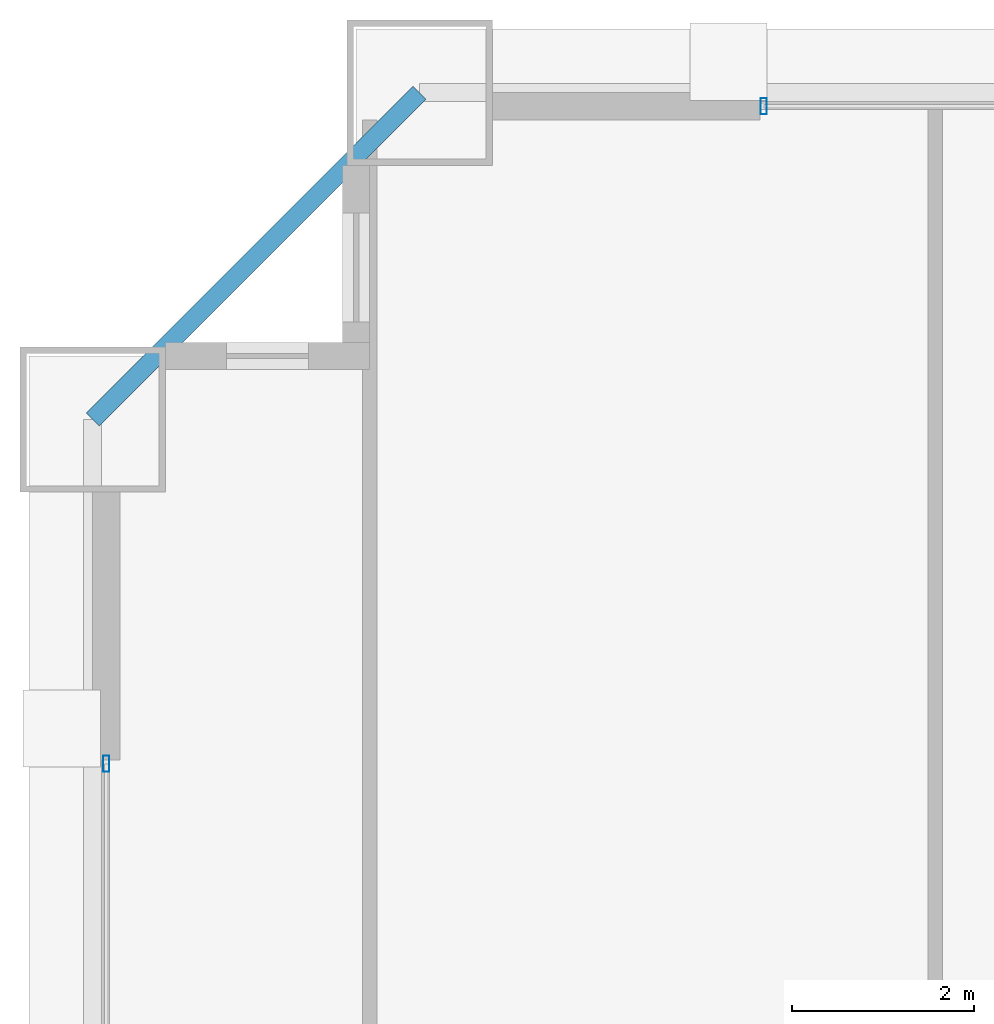
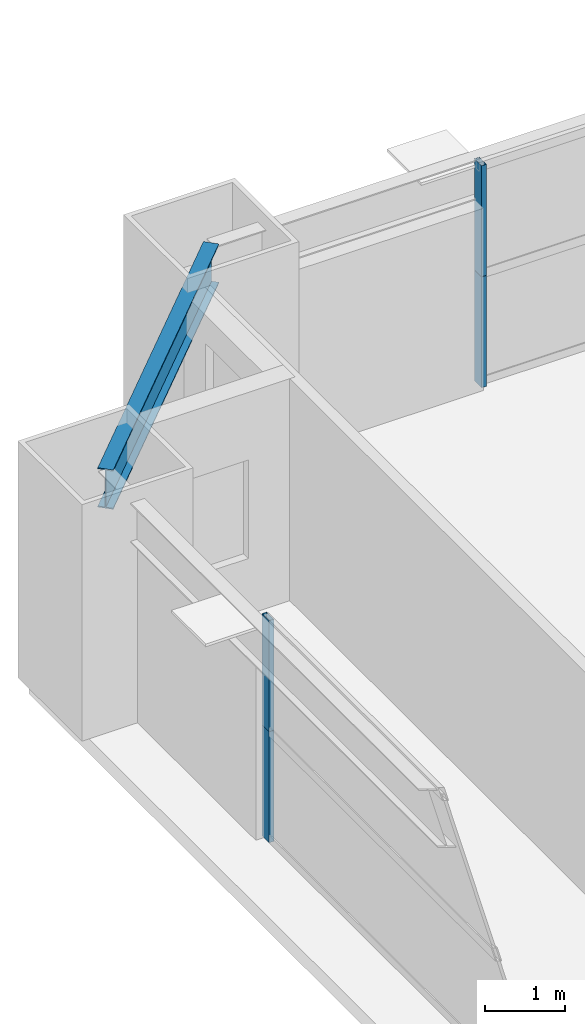
# One storey, part 23 of 39: 4 members, 1 beam, 2 elements without a shape of their own.
"""IFC4 building model written with IfcOpenShell, lengths in metres."""

from ifc_helpers import new_model, si_unit, direction, frame, origin, origin_2d, place, context, subcontext, project, spatial, hollow_rectangle, i_section, extrude, source, transform, mapped, material, layer, layer_set, material_profile, profile_set, type_object, element, aggregate, save


model = new_model("IFC4")

# Units and contexts
model_context = context("Model", 3, precision=1e-05, world=origin(), true_north=direction((0.0, 1.0)))
body_context = subcontext(model_context, "Body", "Model", "MODEL_VIEW")
ifc_project = project(units=[si_unit("LENGTHUNIT", "METRE"), si_unit("AREAUNIT", "SQUARE_METRE"), si_unit("VOLUMEUNIT", "CUBIC_METRE"), si_unit("PLANEANGLEUNIT", "RADIAN"), si_unit("MASSUNIT", "GRAM", prefix="KILO"), si_unit("THERMODYNAMICTEMPERATUREUNIT", "KELVIN"), si_unit("POWERUNIT", "WATT")], contexts=[model_context])

# Site, building, storey
site_placement = place(None, origin())
site = spatial("IfcSite", under=ifc_project, at=site_placement, CompositionType="ELEMENT")
building_placement = place(site_placement, origin())
building = spatial("IfcBuilding", under=site, at=building_placement, Name="Yuzanri Waterfront Tower", CompositionType="ELEMENT")
storey_placement = place(building_placement, frame((0.0, 0.0, 156.0)))
storey = spatial("IfcBuildingStorey", under=building, at=storey_placement, Name="L41", CompositionType="ELEMENT", Elevation=156.0)

# Beam
ifc_material_1 = material(Name="Steel Q355B", Category="steel")
ifc_material_profile_1 = material_profile(ifc_material_1, i_section(OverallWidth=0.199951171875, OverallDepth=0.60009765625, WebThickness=0.010986328125, FlangeThickness=0.01708984375, at=origin_2d()), Name="HN 600x200x11x17")
ifc_profile_set_1 = profile_set([ifc_material_profile_1], Name="Steel Q355B")
beam_type = type_object("IfcBeamType", Name="Perimeter Spandrel Q355B HN 600x200", PredefinedType="SPANDREL", material=ifc_profile_set_1)
shared_shape_1 = source(origin(), body_context, "Body", "SweptSolid", [
    extrude(i_section(OverallWidth=0.199951171875, OverallDepth=0.60009765625, WebThickness=0.010986328125, FlangeThickness=0.01708984375, at=origin_2d()), origin(), (0.0, 0.0, 1.0), 5.091064453125),
])
beam_placement = place(storey_placement, frame((17.0, 49.39990234375, 3.080078125), z_axis=(-0.707130757816, -0.707082803744, 0.0), x_axis=(0.707082803744, -0.707130757816, 0.0)))
element("IfcBeam", 1, at=beam_placement, inside=storey, type_object=beam_type, Name="L41 Perimeter Spandrel N1-W3", PredefinedType="SPANDREL", context=body_context, shape_type="MappedRepresentation", body=[
    mapped(shared_shape_1, transform((0.0, 0.0, 0.0), scale=1.0)),
])

# Curtain wall, members
ifc_material_2 = material(Name="Anodized Architectural Bronze", Category="metal")
ifc_layer = layer(ifc_material_2, 0.159912109375)
ifc_layer_set = layer_set([ifc_layer], Name="Anodized Architectural Bronze")
curtain_wall_type = type_object("IfcCurtainWallType", Name="Anodized Bronze Hotel Upper-Tier Solar-Control Unitized Curtain Wall 7800", PredefinedType="NOTDEFINED", material=ifc_layer_set)
curtain_wall_1_placement = place(storey_placement, origin())
curtain_wall_1 = element("IfcCurtainWall", 2, at=curtain_wall_1_placement, inside=storey, type_object=curtain_wall_type, Name="L41 Curtain Wall CW-L41-NL", PredefinedType="NOTDEFINED")
ifc_material_3 = material(Name="Anodized Architectural Bronze", Category="metal")
ifc_material_profile_2 = material_profile(ifc_material_3, hollow_rectangle(XDim=0.070068359375, YDim=0.179931640625, WallThickness=0.00390625, at=origin_2d()), Name="CWM 70x180")
ifc_profile_set_2 = profile_set([ifc_material_profile_2], Name="Anodized Architectural Bronze")
member_type = type_object("IfcMemberType", Name="Anodized Bronze Standard Curtain-Wall Mullion 70x180", PredefinedType="MULLION", material=ifc_profile_set_2)
shared_shape_2 = source(origin(), body_context, "Body", "SweptSolid", [
    extrude(hollow_rectangle(XDim=0.070068359375, YDim=0.179931640625, WallThickness=0.00390625, at=origin_2d()), origin(), (0.0, 0.0, 1.0), 1.68798828125),
])
member_1_placement = place(storey_placement, frame((20.7900390625, 49.25, 0.0), z_axis=(0.0, 0.0, 1.0), x_axis=(1.0, 0.0, 0.0)))
member_1 = element("IfcMember", 3, at=member_1_placement, type_object=member_type, Name="CW-L41-NL Lower Mullion 00", PredefinedType="MULLION", context=body_context, shape_type="MappedRepresentation", body=[
    mapped(shared_shape_2, transform((0.0, 0.0, 0.0), scale=1.0)),
])
member_2_placement = place(storey_placement, frame((20.7900390625, 49.25, 1.69189453125), z_axis=(0.0, 0.0, 1.0), x_axis=(1.0, 0.0, 0.0)))
member_2 = element("IfcMember", 4, at=member_2_placement, type_object=member_type, Name="CW-L41-NL Upper Mullion 00", PredefinedType="MULLION", context=body_context, shape_type="MappedRepresentation", body=[
    mapped(shared_shape_2, transform((0.0, 0.0, 0.0), scale=1.0)),
])
aggregate(curtain_wall_1, [member_1, member_2])

curtain_wall_2_placement = place(storey_placement, origin())
curtain_wall_2 = element("IfcCurtainWall", 5, at=curtain_wall_2_placement, inside=storey, type_object=curtain_wall_type, Name="L41 Curtain Wall CW-L41-WR", PredefinedType="NOTDEFINED")
member_3_placement = place(storey_placement, frame((13.550048828125, 42.010009765625, 0.0), z_axis=(0.0, 0.0, 1.0), x_axis=(1.0, 0.0, 0.0)))
member_3 = element("IfcMember", 6, at=member_3_placement, type_object=member_type, Name="CW-L41-WR Lower Mullion 02", PredefinedType="MULLION", context=body_context, shape_type="MappedRepresentation", body=[
    mapped(shared_shape_2, transform((0.0, 0.0, 0.0), scale=1.0)),
])
member_4_placement = place(storey_placement, frame((13.550048828125, 42.010009765625, 1.69189453125), z_axis=(0.0, 0.0, 1.0), x_axis=(1.0, 0.0, 0.0)))
member_4 = element("IfcMember", 7, at=member_4_placement, type_object=member_type, Name="CW-L41-WR Upper Mullion 02", PredefinedType="MULLION", context=body_context, shape_type="MappedRepresentation", body=[
    mapped(shared_shape_2, transform((0.0, 0.0, 0.0), scale=1.0)),
])
aggregate(curtain_wall_2, [member_3, member_4])

save(model, "model.ifc")
